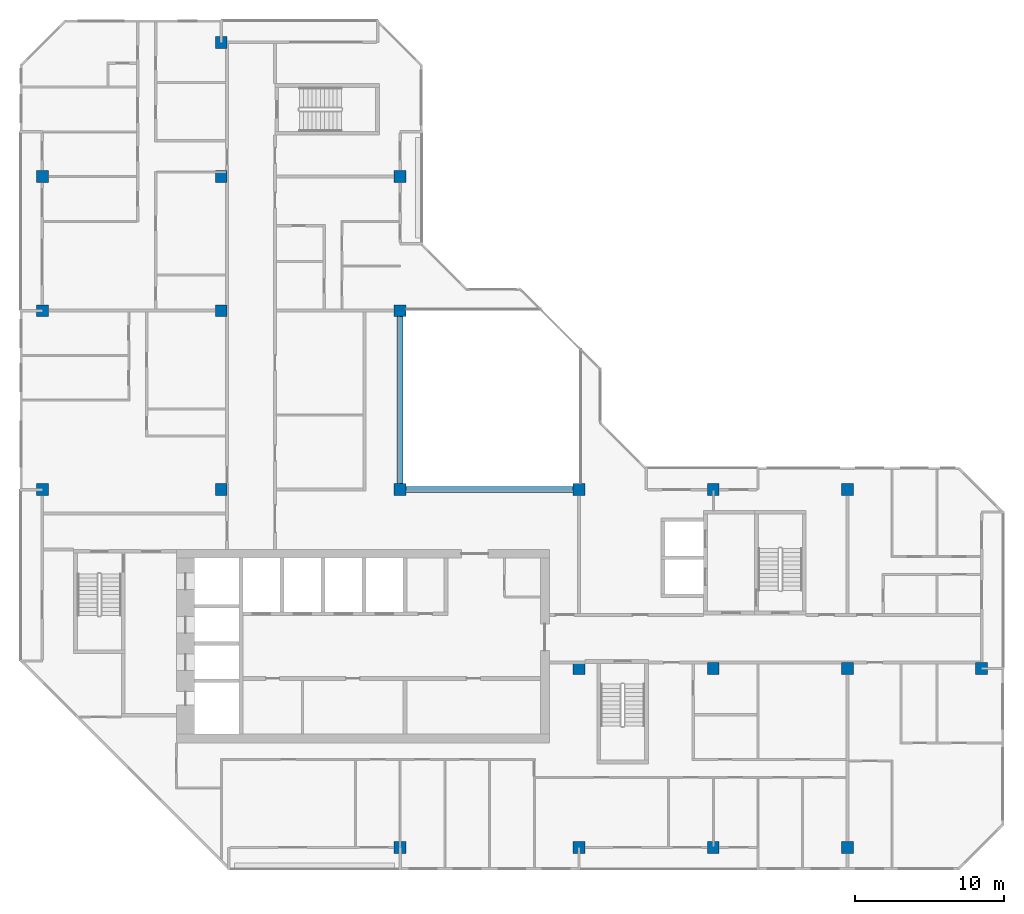
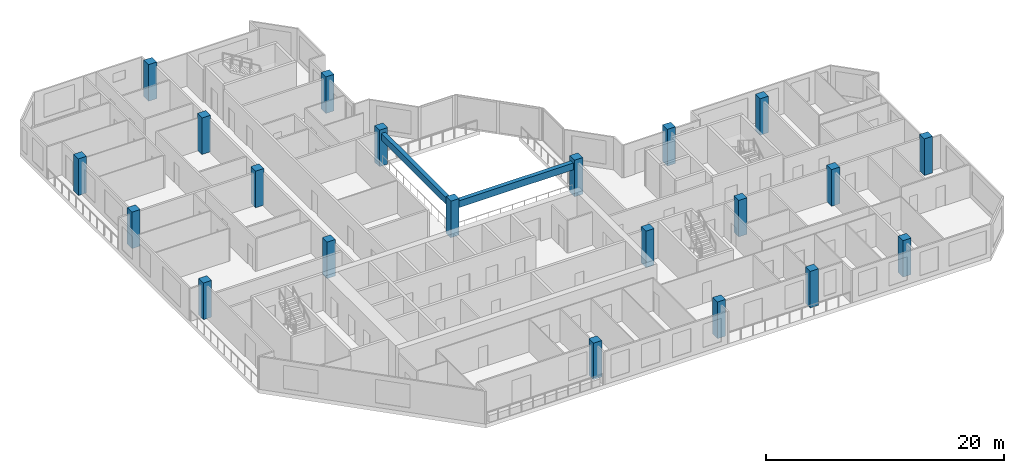
# One storey, part 1 of 13: 21 columns, 2 beams.
"""IFC4 building model written with IfcOpenShell, lengths in metres."""

from ifc_helpers import new_model, si_unit, direction, frame, origin, origin_2d, place, context, subcontext, project, spatial, rectangle, extrude, material, material_profile, profile_set, type_object, element, save


model = new_model("IFC4")

# Units and contexts
model_context = context("Model", 3, precision=1e-05, world=origin(), true_north=direction((0.0, 1.0)))
body_context = subcontext(model_context, "Body", "Model", "MODEL_VIEW")
ifc_project = project(units=[si_unit("LENGTHUNIT", "METRE"), si_unit("AREAUNIT", "SQUARE_METRE"), si_unit("VOLUMEUNIT", "CUBIC_METRE"), si_unit("PLANEANGLEUNIT", "RADIAN"), si_unit("MASSUNIT", "GRAM", prefix="KILO")], contexts=[model_context])

# Site, building, storey
site_placement = place(None, origin())
site = spatial("IfcSite", under=ifc_project, at=site_placement, CompositionType="ELEMENT")
building_placement = place(site_placement, origin())
building = spatial("IfcBuilding", under=site, at=building_placement, Name="Chenar Terraces", CompositionType="ELEMENT")
storey_placement = place(building_placement, frame((0.0, 0.0, 284.64990234375)))
storey = spatial("IfcBuildingStorey", under=building, at=storey_placement, Name="L66", CompositionType="ELEMENT", Elevation=284.64990234375)

# Columns
ifc_material_1 = material(Name="Concrete C50/60", Category="concrete")
ifc_material_profile_1 = material_profile(ifc_material_1, rectangle(XDim=0.800048828125, YDim=0.800048828125, at=origin_2d()), Name="C 800 x 800")
ifc_profile_set_1 = profile_set([ifc_material_profile_1], Name="Concrete C50/60")
column_type = type_object("IfcColumnType", Name="Column C 800 x 800 Concrete C50/60", PredefinedType="COLUMN", material=ifc_profile_set_1)
column_1_placement = place(storey_placement, frame((0.0, 24.0, 0.0), z_axis=(0.0, 0.0, 1.0), x_axis=(1.0, 0.0, 0.0)))
element("IfcColumn", 1, at=column_1_placement, inside=storey, type_object=column_type, Name="Column 5/G L66", PredefinedType="COLUMN", context=body_context, shape_type="SweptSolid", body=[
    extrude(rectangle(XDim=0.800048828125, YDim=0.800048828125, at=origin_2d()), origin(), (0.0, 0.0, 1.0), 3.75),
])
column_2_placement = place(storey_placement, frame((0.0, 36.0, 0.0), z_axis=(0.0, 0.0, 1.0), x_axis=(1.0, 0.0, 0.0)))
element("IfcColumn", 2, at=column_2_placement, inside=storey, type_object=column_type, Name="Column 5/H L66", PredefinedType="COLUMN", context=body_context, shape_type="SweptSolid", body=[
    extrude(rectangle(XDim=0.800048828125, YDim=0.800048828125, at=origin_2d()), origin(), (0.0, 0.0, 1.0), 3.75),
])
for number, where, z_axis, x_axis, name in (
    (3, (0.0, 45.0, 0.0), (0.0, 0.0, 1.0), (1.0, 0.0, 0.0), "Column 5/J L66"),
    (4, (12.0, 24.0, 0.0), (0.0, 0.0, 1.0), (1.0, 0.0, 0.0), "Column 6/G L66"),
    (5, (12.0, 36.0, 0.0), (0.0, 0.0, 1.0), (1.0, 0.0, 0.0), "Column 6/H L66"),
    (6, (12.0, 45.0, 0.0), (0.0, 0.0, 1.0), (1.0, 0.0, 0.0), "Column 6/J L66"),
    (7, (12.0, 54.0, 0.0), (0.0, 0.0, 1.0), (1.0, 0.0, 0.0), "Column 6/K L66"),
    (8, (24.0, 0.0, 0.0), (0.0, 0.0, 1.0), (1.0, 0.0, 0.0), "Column 7/E L66"),
    (9, (24.0, 24.0, 0.0), (0.0, 0.0, 1.0), (1.0, 0.0, 0.0), "Column 7/G L66"),
    (10, (24.0, 36.0, 0.0), (0.0, 0.0, 1.0), (1.0, 0.0, 0.0), "Column 7/H L66"),
    (11, (24.0, 45.0, 0.0), (0.0, 0.0, 1.0), (1.0, 0.0, 0.0), "Column 7/J L66"),
    (12, (36.0, 0.0, 0.0), (0.0, 0.0, 1.0), (1.0, 0.0, 0.0), "Column 8/E L66"),
    (13, (36.0, 12.0, 0.0), (0.0, 0.0, 1.0), (1.0, 0.0, 0.0), "Column 8/F L66"),
    (14, (36.0, 24.0, 0.0), (0.0, 0.0, 1.0), (1.0, 0.0, 0.0), "Column 8/G L66"),
    (15, (45.0, 0.0, 0.0), (0.0, 0.0, 1.0), (1.0, 0.0, 0.0), "Column 9/E L66"),
    (16, (45.0, 12.0, 0.0), (0.0, 0.0, 1.0), (1.0, 0.0, 0.0), "Column 9/F L66"),
    (17, (45.0, 24.0, 0.0), (0.0, 0.0, 1.0), (1.0, 0.0, 0.0), "Column 9/G L66"),
    (18, (54.0, 0.0, 0.0), (0.0, 0.0, 1.0), (1.0, 0.0, 0.0), "Column 10/E L66"),
    (19, (54.0, 12.0, 0.0), (0.0, 0.0, 1.0), (1.0, 0.0, 0.0), "Column 10/F L66"),
    (20, (54.0, 24.0, 0.0), (0.0, 0.0, 1.0), (1.0, 0.0, 0.0), "Column 10/G L66"),
    (21, (63.0, 12.0, 0.0), (0.0, 0.0, 1.0), (1.0, 0.0, 0.0), "Column 11/F L66"),
):
    element("IfcColumn", number, at=place(storey_placement, frame(where, z_axis=z_axis, x_axis=x_axis)), inside=storey, type_object=column_type, Name=name, PredefinedType="COLUMN", context=body_context, shape_type="SweptSolid", body=[
        extrude(rectangle(XDim=0.800048828125, YDim=0.800048828125, at=origin_2d()), origin(), (0.0, 0.0, 1.0), 3.75),
    ])

# Beams
ifc_material_2 = material(Name="Concrete C40/50", Category="concrete")
ifc_material_profile_2 = material_profile(ifc_material_2, rectangle(XDim=0.39990234375, YDim=0.699951171875, at=origin_2d()), Name="RC 400 x 700")
ifc_profile_set_2 = profile_set([ifc_material_profile_2], Name="Concrete C40/50")
beam_type = type_object("IfcBeamType", Name="Atrium edge beam 400 x 700 Concrete C40/50", PredefinedType="BEAM", material=ifc_profile_set_2)
for number, where, z_axis, x_axis, name in (
    (22, (24.39990234375, 24.0, 3.0), (1.0, 0.0, 0.0), (0.0, 1.0, 0.0), "Atrium edge beam L67 1"),
    (23, (24.0, 35.60009765625, 3.0), (0.0, -1.0, 0.0), (1.0, 0.0, 0.0), "Atrium edge beam L67 4"),
):
    element("IfcBeam", number, at=place(storey_placement, frame(where, z_axis=z_axis, x_axis=x_axis)), inside=storey, type_object=beam_type, Name=name, PredefinedType="BEAM", context=body_context, shape_type="SweptSolid", body=[
        extrude(rectangle(XDim=0.39990234375, YDim=0.699951171875, at=origin_2d()), origin(), (0.0, 0.0, 1.0), 11.2001953125),
    ])

save(model, "model.ifc")
